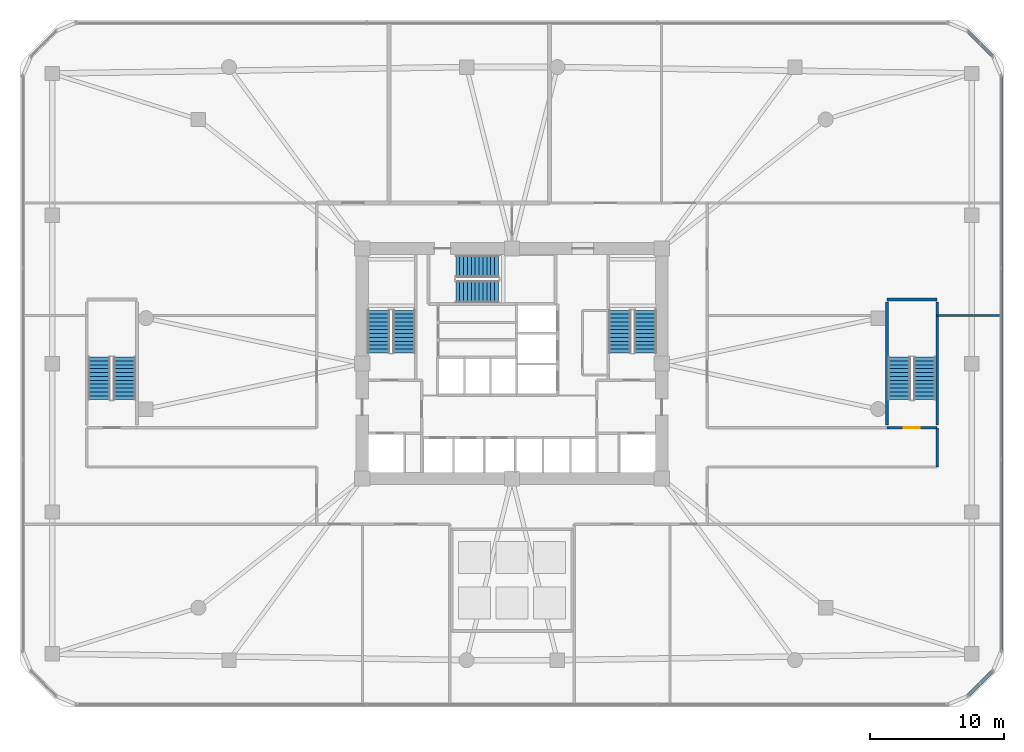
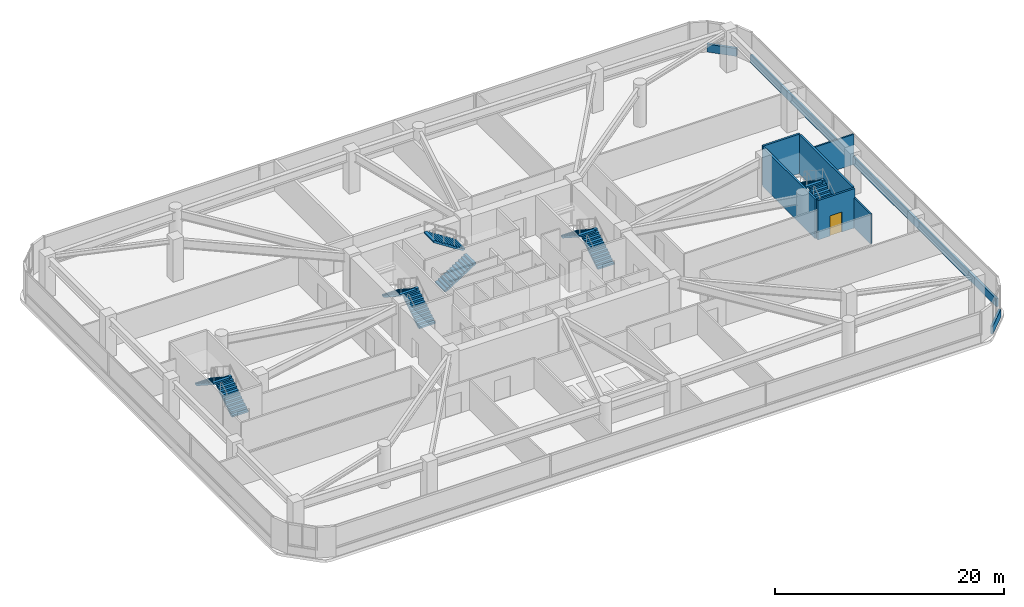
# One storey, part 19 of 21: 10 stair flights, 9 walls, 1 door, 1 opening, 5 elements without a shape of their own.
"""IFC4 building model written with IfcOpenShell, lengths in metres."""

from ifc_helpers import new_model, si_unit, derived_unit, direction, frame, frame_2d, origin, place, context, subcontext, project, spatial, polyline, rectangle, outline, extrude, material, layer, layer_set, type_object, element, fill, aggregate, save


model = new_model("IFC4")

# Units and contexts
model_context = context("Model", 3, precision=1e-05, world=origin(), true_north=direction((0.0, 1.0)))
body_context = subcontext(model_context, "Body", "Model", "MODEL_VIEW")
ifc_project = project(units=[si_unit("LENGTHUNIT", "METRE"), si_unit("AREAUNIT", "SQUARE_METRE"), si_unit("VOLUMEUNIT", "CUBIC_METRE"), si_unit("PLANEANGLEUNIT", "RADIAN"), si_unit("MASSUNIT", "GRAM", prefix="KILO"), derived_unit("THERMALTRANSMITTANCEUNIT", [(si_unit("POWERUNIT", "WATT"), 1), (si_unit("LENGTHUNIT", "METRE"), -2), (si_unit("THERMODYNAMICTEMPERATUREUNIT", "KELVIN"), -1)])], contexts=[model_context])

# Site, building, storey
site_placement = place(None, origin())
site = spatial("IfcSite", under=ifc_project, at=site_placement, CompositionType="ELEMENT")
building_placement = place(site_placement, origin())
building = spatial("IfcBuilding", under=site, at=building_placement, Name="Koralith Skygarden Medical Center", CompositionType="ELEMENT")
storey_placement = place(building_placement, frame((0.0, 0.0, 9.89990234375)))
storey = spatial("IfcBuildingStorey", under=building, at=storey_placement, Name="L02", CompositionType="ELEMENT", Elevation=9.89990234375)

# Walls
ifc_material_1 = material(Name="Gypsum Board Partition")
ifc_layer_1 = layer(ifc_material_1, 0.14990234375)
ifc_layer_set_1 = layer_set([ifc_layer_1], Name="Gypsum Board Partition")
wall_type_1 = type_object("IfcWallType", Name="Clinical Acoustic Partition 150", PredefinedType="PARTITIONING", material=ifc_layer_set_1)
wall_1_placement = place(storey_placement, frame((68.800048828125, 29.5, 0.0), z_axis=(0.0, 0.0, 1.0), x_axis=(1.0, 0.0, 0.0)))
element("IfcWall", 1, at=wall_1_placement, inside=storey, type_object=wall_type_1, Name="L02 Clinical Acoustic Partition 150 W-PDPART-L02-E-NB", PredefinedType="PARTITIONING", context=body_context, shape_type="SweptSolid", body=[
    extrude(rectangle(XDim=4.760009765625, YDim=0.14990234375, at=frame_2d((2.3798828125, 0.0))), origin(), (0.0, 0.0, 1.0), 3.210205078125),
])
ifc_layer_2 = layer(ifc_material_1, 0.1650390625)
ifc_layer_set_2 = layer_set([ifc_layer_2], Name="Gypsum Board Partition")
wall_type_2 = type_object("IfcWallType", Name="Clinical Corridor Partition 165", PredefinedType="PARTITIONING", material=ifc_layer_set_2)
wall_2_placement = place(storey_placement, frame((68.800048828125, 18.169921875, 0.0), z_axis=(0.0, 0.0, 1.0), x_axis=(0.0, 1.0, 0.0)))
element("IfcWall", 2, at=wall_2_placement, inside=storey, type_object=wall_type_2, Name="L02 Clinical Corridor Partition 165 W-PARM-L02-EE", PredefinedType="PARTITIONING", context=body_context, shape_type="SweptSolid", body=[
    extrude(rectangle(XDim=2.93017578125, YDim=0.1650390625, at=frame_2d((1.465087890625, 0.0))), origin(), (0.0, 0.0, 1.0), 3.210205078125),
])
ifc_material_2 = material(Name="Warm Oolitic Limestone Cladding", Category="masonry")
ifc_layer_3 = layer(ifc_material_2, 0.239990234375)
ifc_layer_set_3 = layer_set([ifc_layer_3], Name="Warm Oolitic Limestone Cladding")
wall_type_3 = type_object("IfcWallType", Name="Limestone Spandrel Sill Backup Wall 240", PredefinedType="SOLIDWALL", material=ifc_layer_set_3)
wall_3_placement = place(storey_placement, frame((71.072021484375, 1.02099609375, 0.0), z_axis=(0.0, 0.0, 1.0), x_axis=(0.707106781187, 0.707106781187, 0.0)))
element("IfcWall", 3, at=wall_3_placement, inside=storey, type_object=wall_type_3, Name="L02 Sill Spandrel Wall SE", PredefinedType="SOLIDWALL", context=body_context, shape_type="SweptSolid", body=[
    extrude(rectangle(XDim=2.69677734375, YDim=0.239990234375, at=frame_2d((1.348388671875, 0.0))), origin(), (0.0, 0.0, 1.0), 0.85009765625),
])
wall_4_placement = place(storey_placement, frame((73.580078125, 4.37890625, 0.0), z_axis=(0.0, 0.0, 1.0), x_axis=(0.0, 1.0, 0.0)))
element("IfcWall", 4, at=wall_4_placement, inside=storey, type_object=wall_type_3, Name="L02 Sill Spandrel Wall E", PredefinedType="SOLIDWALL", context=body_context, shape_type="SweptSolid", body=[
    extrude(rectangle(XDim=43.0419921875, YDim=0.239990234375, at=frame_2d((21.52099609375, 0.0))), origin(), (0.0, 0.0, 1.0), 0.85009765625),
])
wall_5_placement = place(storey_placement, frame((72.97900390625, 48.8720703125, 0.0), z_axis=(0.0, 0.0, 1.0), x_axis=(-0.707106781187, 0.707106781187, 0.0)))
element("IfcWall", 5, at=wall_5_placement, inside=storey, type_object=wall_type_3, Name="L02 Sill Spandrel Wall NE", PredefinedType="SOLIDWALL", context=body_context, shape_type="SweptSolid", body=[
    extrude(rectangle(XDim=2.69677734375, YDim=0.239990234375, at=frame_2d((1.348388671875, 0.0))), origin(), (0.0, 0.0, 1.0), 0.85009765625),
])

# Wall, opening, door
ifc_material_3 = material(Name="Concrete C45/55", Category="concrete")
ifc_layer_4 = layer(ifc_material_3, 0.199951171875)
ifc_layer_set_4 = layer_set([ifc_layer_4], Name="Concrete C45/55")
wall_type_4 = type_object("IfcWallType", Name="Structural Stair Shaft Wall 200", PredefinedType="SHEAR", material=ifc_layer_set_4)
wall_6_placement = place(storey_placement, frame((65.050048828125, 21.10009765625, 0.0), z_axis=(0.0, 0.0, 1.0), x_axis=(1.0, 0.0, 0.0)))
wall_6 = element("IfcWall", 6, at=wall_6_placement, inside=storey, type_object=wall_type_4, Name="L02 Structural Stair Shaft Wall 200 W-ST5-L02-S", PredefinedType="SHEAR", context=body_context, shape_type="SweptSolid", body=[
    extrude(rectangle(XDim=3.75, YDim=0.199951171875, at=frame_2d((1.875, 0.0))), origin(), (0.0, 0.0, 1.0), 4.2001953125),
])
opening_placement = place(wall_6_placement, frame((1.25, 0.0, 0.0)))
opening = element("IfcOpeningElement", 7, at=opening_placement, cuts=wall_6, Name="Opening D-ST60", PredefinedType="OPENING", context=body_context, shape_type="SweptSolid", body=[
    extrude(rectangle(XDim=1.199951171875, YDim=2.14990234375, at=frame_2d((0.60009765625, 1.074951171875))), frame((0.0, 0.10986328125, 0.0), z_axis=(0.0, -1.0, 0.0), x_axis=(1.0, 0.0, 0.0)), (0.0, 0.0, 1.0), 0.219970703125),
])
ifc_material_4 = material(Name="Steel ASTM A500 Grade C", Category="steel")
door_type = type_object("IfcDoorType", Name="Smokeproof Stair Fire Door FD60S 1200", OperationType="NOTDEFINED", PredefinedType="DOOR", material=ifc_material_4)
door_placement = place(opening_placement, origin())
door = element("IfcDoor", 8, at=door_placement, inside=storey, type_object=door_type, Name="L02 Exit Stair ST5 Fire Door", OperationType="SINGLE_SWING_RIGHT", OverallHeight=2.14990234375, OverallWidth=1.199951171875, PredefinedType="DOOR", context=body_context, shape_type="SweptSolid", body=[
    extrude(rectangle(XDim=1.199951171875, YDim=2.14990234375, at=frame_2d((0.60009765625, 1.074951171875))), frame((0.0, 0.02490234375, 0.0), z_axis=(0.0, -1.0, 0.0), x_axis=(1.0, 0.0, 0.0)), (0.0, 0.0, 1.0), 0.050048828125),
])
fill(opening, door)

# Walls
wall_7_placement = place(storey_placement, frame((65.050048828125, 30.699951171875, 0.0), z_axis=(0.0, 0.0, 1.0), x_axis=(1.0, 0.0, 0.0)))
element("IfcWall", 9, at=wall_7_placement, inside=storey, type_object=wall_type_4, Name="L02 Structural Stair Shaft Wall 200 W-ST5-L02-N", PredefinedType="SHEAR", context=body_context, shape_type="SweptSolid", body=[
    extrude(rectangle(XDim=3.75, YDim=0.199951171875, at=frame_2d((1.875, 0.0))), origin(), (0.0, 0.0, 1.0), 4.2001953125),
])
for number, where, z_axis, x_axis, name in (
    (10, (65.050048828125, 21.300048828125, 0.0), (0.0, 0.0, 1.0), (0.0, 1.0, 0.0), "L02 Structural Stair Shaft Wall 200 W-ST5-L02-W"),
    (11, (68.800048828125, 21.300048828125, 0.0), (0.0, 0.0, 1.0), (0.0, 1.0, 0.0), "L02 Structural Stair Shaft Wall 200 W-ST5-L02-E"),
):
    element("IfcWall", number, at=place(storey_placement, frame(where, z_axis=z_axis, x_axis=x_axis)), inside=storey, type_object=wall_type_4, Name=name, PredefinedType="SHEAR", context=body_context, shape_type="SweptSolid", body=[
        extrude(rectangle(XDim=9.199951171875, YDim=0.199951171875, at=frame_2d((4.60009765625, 0.0))), origin(), (0.0, 0.0, 1.0), 4.2001953125),
    ])

# Stair, stair flights
stair_type = type_object("IfcStairType", Name="Core Exit Dogleg Concrete Stair", PredefinedType="HALF_TURN_STAIR", material=ifc_material_3)
stair_1_placement = place(storey_placement, origin())
stair_1 = element("IfcStair", 12, at=stair_1_placement, inside=storey, type_object=stair_type, Name="L02 Smokeproof Exit Stair ST1", PredefinedType="HALF_TURN_STAIR")
stair_flight_type = type_object("IfcStairFlightType", Name="Core Exit Concrete Stair Flight 1650", PredefinedType="STRAIGHT", material=ifc_material_3)
stair_flight_1_placement = place(storey_placement, frame((28.925048828125, 26.699951171875, 0.0), z_axis=(0.0, 0.0, 1.0), x_axis=(0.0, 1.0, 0.0)))
stair_flight_1 = element("IfcStairFlight", 13, at=stair_flight_1_placement, type_object=stair_flight_type, Name="ST1 flight 1", NumberOfRisers=12, NumberOfTreads=11, PredefinedType="STRAIGHT", RiserHeight=0.1875, TreadLength=0.29, context=body_context, shape_type="SweptSolid", body=[
    extrude(outline(polyline([(0.0, 0.0), (0.0, 0.1875), (0.2900390625, 0.1875), (0.2900390625, 0.375), (0.580078125, 0.375), (0.580078125, 0.5625), (0.8701171875, 0.5625), (0.8701171875, 0.75), (1.159912109375, 0.75), (1.159912109375, 0.9375), (1.449951171875, 0.9375), (1.449951171875, 1.125), (1.739990234375, 1.125), (1.739990234375, 1.3125), (2.030029296875, 1.3125), (2.030029296875, 1.5), (2.320068359375, 1.5), (2.320068359375, 1.6875), (2.610107421875, 1.6875), (2.610107421875, 1.875), (2.89990234375, 1.875), (2.89990234375, 2.0625), (3.18994140625, 2.0625), (3.18994140625, 2.25), (3.18994140625, 1.884033203125), (0.276123046875, 0.0), (0.0, 0.0)])), frame((0.0, 0.824951171875, 0.0), z_axis=(0.0, -1.0, 0.0), x_axis=(1.0, 0.0, 0.0)), (0.0, 0.0, 1.0), 1.64990234375),
])
stair_flight_2_placement = place(storey_placement, frame((27.02490234375, 29.889892578125, 2.25), z_axis=(0.0, 0.0, 1.0), x_axis=(0.0, -1.0, 0.0)))
stair_flight_2 = element("IfcStairFlight", 14, at=stair_flight_2_placement, type_object=stair_flight_type, Name="ST1 flight 2", NumberOfRisers=12, NumberOfTreads=11, PredefinedType="STRAIGHT", RiserHeight=0.1875, TreadLength=0.29, context=body_context, shape_type="SweptSolid", body=[
    extrude(outline(polyline([(0.0, 0.0), (0.0, 0.1875), (0.2900390625, 0.1875), (0.2900390625, 0.375), (0.580078125, 0.375), (0.580078125, 0.5625), (0.8701171875, 0.5625), (0.8701171875, 0.75), (1.159912109375, 0.75), (1.159912109375, 0.9375), (1.449951171875, 0.9375), (1.449951171875, 1.125), (1.739990234375, 1.125), (1.739990234375, 1.3125), (2.030029296875, 1.3125), (2.030029296875, 1.5), (2.320068359375, 1.5), (2.320068359375, 1.6875), (2.610107421875, 1.6875), (2.610107421875, 1.875), (2.89990234375, 1.875), (2.89990234375, 2.0625), (3.18994140625, 2.0625), (3.18994140625, 2.25), (3.18994140625, 1.884033203125), (0.276123046875, 0.0), (0.0, 0.0)])), frame((0.0, 0.824951171875, 0.0), z_axis=(0.0, -1.0, 0.0), x_axis=(1.0, 0.0, 0.0)), (0.0, 0.0, 1.0), 1.64990234375),
])
aggregate(stair_1, [stair_flight_1, stair_flight_2])

stair_2_placement = place(storey_placement, origin())
stair_2 = element("IfcStair", 15, at=stair_2_placement, inside=storey, type_object=stair_type, Name="L02 Smokeproof Exit Stair ST2", PredefinedType="HALF_TURN_STAIR")
stair_flight_3_placement = place(storey_placement, frame((46.97509765625, 26.699951171875, 0.0), z_axis=(0.0, 0.0, 1.0), x_axis=(0.0, 1.0, 0.0)))
stair_flight_3 = element("IfcStairFlight", 16, at=stair_flight_3_placement, type_object=stair_flight_type, Name="ST2 flight 1", NumberOfRisers=12, NumberOfTreads=11, PredefinedType="STRAIGHT", RiserHeight=0.1875, TreadLength=0.29, context=body_context, shape_type="SweptSolid", body=[
    extrude(outline(polyline([(0.0, 0.0), (0.0, 0.1875), (0.2900390625, 0.1875), (0.2900390625, 0.375), (0.580078125, 0.375), (0.580078125, 0.5625), (0.8701171875, 0.5625), (0.8701171875, 0.75), (1.159912109375, 0.75), (1.159912109375, 0.9375), (1.449951171875, 0.9375), (1.449951171875, 1.125), (1.739990234375, 1.125), (1.739990234375, 1.3125), (2.030029296875, 1.3125), (2.030029296875, 1.5), (2.320068359375, 1.5), (2.320068359375, 1.6875), (2.610107421875, 1.6875), (2.610107421875, 1.875), (2.89990234375, 1.875), (2.89990234375, 2.0625), (3.18994140625, 2.0625), (3.18994140625, 2.25), (3.18994140625, 1.884033203125), (0.276123046875, 0.0), (0.0, 0.0)])), frame((0.0, 0.824951171875, 0.0), z_axis=(0.0, -1.0, 0.0), x_axis=(1.0, 0.0, 0.0)), (0.0, 0.0, 1.0), 1.64990234375),
])
stair_flight_4_placement = place(storey_placement, frame((45.074951171875, 29.889892578125, 2.25), z_axis=(0.0, 0.0, 1.0), x_axis=(0.0, -1.0, 0.0)))
stair_flight_4 = element("IfcStairFlight", 17, at=stair_flight_4_placement, type_object=stair_flight_type, Name="ST2 flight 2", NumberOfRisers=12, NumberOfTreads=11, PredefinedType="STRAIGHT", RiserHeight=0.1875, TreadLength=0.29, context=body_context, shape_type="SweptSolid", body=[
    extrude(outline(polyline([(0.0, 0.0), (0.0, 0.1875), (0.2900390625, 0.1875), (0.2900390625, 0.375), (0.580078125, 0.375), (0.580078125, 0.5625), (0.8701171875, 0.5625), (0.8701171875, 0.75), (1.159912109375, 0.75), (1.159912109375, 0.9375), (1.449951171875, 0.9375), (1.449951171875, 1.125), (1.739990234375, 1.125), (1.739990234375, 1.3125), (2.030029296875, 1.3125), (2.030029296875, 1.5), (2.320068359375, 1.5), (2.320068359375, 1.6875), (2.610107421875, 1.6875), (2.610107421875, 1.875), (2.89990234375, 1.875), (2.89990234375, 2.0625), (3.18994140625, 2.0625), (3.18994140625, 2.25), (3.18994140625, 1.884033203125), (0.276123046875, 0.0), (0.0, 0.0)])), frame((0.0, 0.824951171875, 0.0), z_axis=(0.0, -1.0, 0.0), x_axis=(1.0, 0.0, 0.0)), (0.0, 0.0, 1.0), 1.64990234375),
])
aggregate(stair_2, [stair_flight_3, stair_flight_4])

stair_3_placement = place(storey_placement, origin())
stair_3 = element("IfcStair", 18, at=stair_3_placement, inside=storey, type_object=stair_type, Name="L02 Smokeproof Exit Stair ST3", PredefinedType="HALF_TURN_STAIR")
stair_flight_5_placement = place(storey_placement, frame((32.800048828125, 31.27490234375, 0.0), z_axis=(0.0, 0.0, 1.0), x_axis=(1.0, 0.0, 0.0)))
stair_flight_5 = element("IfcStairFlight", 19, at=stair_flight_5_placement, type_object=stair_flight_type, Name="ST3 flight 1", NumberOfRisers=12, NumberOfTreads=11, PredefinedType="STRAIGHT", RiserHeight=0.1875, TreadLength=0.29, context=body_context, shape_type="SweptSolid", body=[
    extrude(outline(polyline([(0.0, 0.0), (0.0, 0.1875), (0.2900390625, 0.1875), (0.2900390625, 0.375), (0.580078125, 0.375), (0.580078125, 0.5625), (0.8701171875, 0.5625), (0.8701171875, 0.75), (1.159912109375, 0.75), (1.159912109375, 0.9375), (1.449951171875, 0.9375), (1.449951171875, 1.125), (1.739990234375, 1.125), (1.739990234375, 1.3125), (2.030029296875, 1.3125), (2.030029296875, 1.5), (2.320068359375, 1.5), (2.320068359375, 1.6875), (2.610107421875, 1.6875), (2.610107421875, 1.875), (2.89990234375, 1.875), (2.89990234375, 2.0625), (3.18994140625, 2.0625), (3.18994140625, 2.25), (3.18994140625, 1.884033203125), (0.276123046875, 0.0), (0.0, 0.0)])), frame((0.0, 0.824951171875, 0.0), z_axis=(0.0, -1.0, 0.0), x_axis=(1.0, 0.0, 0.0)), (0.0, 0.0, 1.0), 1.64990234375),
])
stair_flight_6_placement = place(storey_placement, frame((35.989990234375, 33.175048828125, 2.25), z_axis=(0.0, 0.0, 1.0), x_axis=(-1.0, 0.0, 0.0)))
stair_flight_6 = element("IfcStairFlight", 20, at=stair_flight_6_placement, type_object=stair_flight_type, Name="ST3 flight 2", NumberOfRisers=12, NumberOfTreads=11, PredefinedType="STRAIGHT", RiserHeight=0.1875, TreadLength=0.29, context=body_context, shape_type="SweptSolid", body=[
    extrude(outline(polyline([(0.0, 0.0), (0.0, 0.1875), (0.2900390625, 0.1875), (0.2900390625, 0.375), (0.580078125, 0.375), (0.580078125, 0.5625), (0.8701171875, 0.5625), (0.8701171875, 0.75), (1.159912109375, 0.75), (1.159912109375, 0.9375), (1.449951171875, 0.9375), (1.449951171875, 1.125), (1.739990234375, 1.125), (1.739990234375, 1.3125), (2.030029296875, 1.3125), (2.030029296875, 1.5), (2.320068359375, 1.5), (2.320068359375, 1.6875), (2.610107421875, 1.6875), (2.610107421875, 1.875), (2.89990234375, 1.875), (2.89990234375, 2.0625), (3.18994140625, 2.0625), (3.18994140625, 2.25), (3.18994140625, 1.884033203125), (0.276123046875, 0.0), (0.0, 0.0)])), frame((0.0, 0.824951171875, 0.0), z_axis=(0.0, -1.0, 0.0), x_axis=(1.0, 0.0, 0.0)), (0.0, 0.0, 1.0), 1.64990234375),
])
aggregate(stair_3, [stair_flight_5, stair_flight_6])

stair_4_placement = place(storey_placement, origin())
stair_4 = element("IfcStair", 21, at=stair_4_placement, inside=storey, type_object=stair_type, Name="L02 Podium Smokeproof Exit Stair ST4", PredefinedType="HALF_TURN_STAIR")
stair_flight_7_placement = place(storey_placement, frame((8.02490234375, 23.199951171875, 0.0), z_axis=(0.0, 0.0, 1.0), x_axis=(0.0, 1.0, 0.0)))
stair_flight_7 = element("IfcStairFlight", 22, at=stair_flight_7_placement, type_object=stair_flight_type, Name="ST4 flight 1", NumberOfRisers=12, NumberOfTreads=11, PredefinedType="STRAIGHT", RiserHeight=0.1875, TreadLength=0.29, context=body_context, shape_type="SweptSolid", body=[
    extrude(outline(polyline([(0.0, 0.0), (0.0, 0.1875), (0.2900390625, 0.1875), (0.2900390625, 0.375), (0.580078125, 0.375), (0.580078125, 0.5625), (0.8701171875, 0.5625), (0.8701171875, 0.75), (1.159912109375, 0.75), (1.159912109375, 0.9375), (1.449951171875, 0.9375), (1.449951171875, 1.125), (1.739990234375, 1.125), (1.739990234375, 1.3125), (2.030029296875, 1.3125), (2.030029296875, 1.5), (2.320068359375, 1.5), (2.320068359375, 1.6875), (2.610107421875, 1.6875), (2.610107421875, 1.875), (2.89990234375, 1.875), (2.89990234375, 2.0625), (3.18994140625, 2.0625), (3.18994140625, 2.25), (3.18994140625, 1.884033203125), (0.276123046875, 0.0), (0.0, 0.0)])), frame((0.0, 0.824951171875, 0.0), z_axis=(0.0, -1.0, 0.0), x_axis=(1.0, 0.0, 0.0)), (0.0, 0.0, 1.0), 1.64990234375),
])
stair_flight_8_placement = place(storey_placement, frame((6.125, 26.389892578125, 2.25), z_axis=(0.0, 0.0, 1.0), x_axis=(0.0, -1.0, 0.0)))
stair_flight_8 = element("IfcStairFlight", 23, at=stair_flight_8_placement, type_object=stair_flight_type, Name="ST4 flight 2", NumberOfRisers=12, NumberOfTreads=11, PredefinedType="STRAIGHT", RiserHeight=0.1875, TreadLength=0.29, context=body_context, shape_type="SweptSolid", body=[
    extrude(outline(polyline([(0.0, 0.0), (0.0, 0.1875), (0.2900390625, 0.1875), (0.2900390625, 0.375), (0.580078125, 0.375), (0.580078125, 0.5625), (0.8701171875, 0.5625), (0.8701171875, 0.75), (1.159912109375, 0.75), (1.159912109375, 0.9375), (1.449951171875, 0.9375), (1.449951171875, 1.125), (1.739990234375, 1.125), (1.739990234375, 1.3125), (2.030029296875, 1.3125), (2.030029296875, 1.5), (2.320068359375, 1.5), (2.320068359375, 1.6875), (2.610107421875, 1.6875), (2.610107421875, 1.875), (2.89990234375, 1.875), (2.89990234375, 2.0625), (3.18994140625, 2.0625), (3.18994140625, 2.25), (3.18994140625, 1.884033203125), (0.276123046875, 0.0), (0.0, 0.0)])), frame((0.0, 0.824951171875, 0.0), z_axis=(0.0, -1.0, 0.0), x_axis=(1.0, 0.0, 0.0)), (0.0, 0.0, 1.0), 1.64990234375),
])
aggregate(stair_4, [stair_flight_7, stair_flight_8])

stair_5_placement = place(storey_placement, origin())
stair_5 = element("IfcStair", 24, at=stair_5_placement, inside=storey, type_object=stair_type, Name="L02 Podium Smokeproof Exit Stair ST5", PredefinedType="HALF_TURN_STAIR")
stair_flight_9_placement = place(storey_placement, frame((67.875, 23.199951171875, 0.0), z_axis=(0.0, 0.0, 1.0), x_axis=(0.0, 1.0, 0.0)))
stair_flight_9 = element("IfcStairFlight", 25, at=stair_flight_9_placement, type_object=stair_flight_type, Name="ST5 flight 1", NumberOfRisers=12, NumberOfTreads=11, PredefinedType="STRAIGHT", RiserHeight=0.1875, TreadLength=0.29, context=body_context, shape_type="SweptSolid", body=[
    extrude(outline(polyline([(0.0, 0.0), (0.0, 0.1875), (0.2900390625, 0.1875), (0.2900390625, 0.375), (0.580078125, 0.375), (0.580078125, 0.5625), (0.8701171875, 0.5625), (0.8701171875, 0.75), (1.159912109375, 0.75), (1.159912109375, 0.9375), (1.449951171875, 0.9375), (1.449951171875, 1.125), (1.739990234375, 1.125), (1.739990234375, 1.3125), (2.030029296875, 1.3125), (2.030029296875, 1.5), (2.320068359375, 1.5), (2.320068359375, 1.6875), (2.610107421875, 1.6875), (2.610107421875, 1.875), (2.89990234375, 1.875), (2.89990234375, 2.0625), (3.18994140625, 2.0625), (3.18994140625, 2.25), (3.18994140625, 1.884033203125), (0.276123046875, 0.0), (0.0, 0.0)])), frame((0.0, 0.824951171875, 0.0), z_axis=(0.0, -1.0, 0.0), x_axis=(1.0, 0.0, 0.0)), (0.0, 0.0, 1.0), 1.64990234375),
])
stair_flight_10_placement = place(storey_placement, frame((65.97509765625, 26.389892578125, 2.25), z_axis=(0.0, 0.0, 1.0), x_axis=(0.0, -1.0, 0.0)))
stair_flight_10 = element("IfcStairFlight", 26, at=stair_flight_10_placement, type_object=stair_flight_type, Name="ST5 flight 2", NumberOfRisers=12, NumberOfTreads=11, PredefinedType="STRAIGHT", RiserHeight=0.1875, TreadLength=0.29, context=body_context, shape_type="SweptSolid", body=[
    extrude(outline(polyline([(0.0, 0.0), (0.0, 0.1875), (0.2900390625, 0.1875), (0.2900390625, 0.375), (0.580078125, 0.375), (0.580078125, 0.5625), (0.8701171875, 0.5625), (0.8701171875, 0.75), (1.159912109375, 0.75), (1.159912109375, 0.9375), (1.449951171875, 0.9375), (1.449951171875, 1.125), (1.739990234375, 1.125), (1.739990234375, 1.3125), (2.030029296875, 1.3125), (2.030029296875, 1.5), (2.320068359375, 1.5), (2.320068359375, 1.6875), (2.610107421875, 1.6875), (2.610107421875, 1.875), (2.89990234375, 1.875), (2.89990234375, 2.0625), (3.18994140625, 2.0625), (3.18994140625, 2.25), (3.18994140625, 1.884033203125), (0.276123046875, 0.0), (0.0, 0.0)])), frame((0.0, 0.824951171875, 0.0), z_axis=(0.0, -1.0, 0.0), x_axis=(1.0, 0.0, 0.0)), (0.0, 0.0, 1.0), 1.64990234375),
])
aggregate(stair_5, [stair_flight_9, stair_flight_10])

save(model, "model.ifc")
